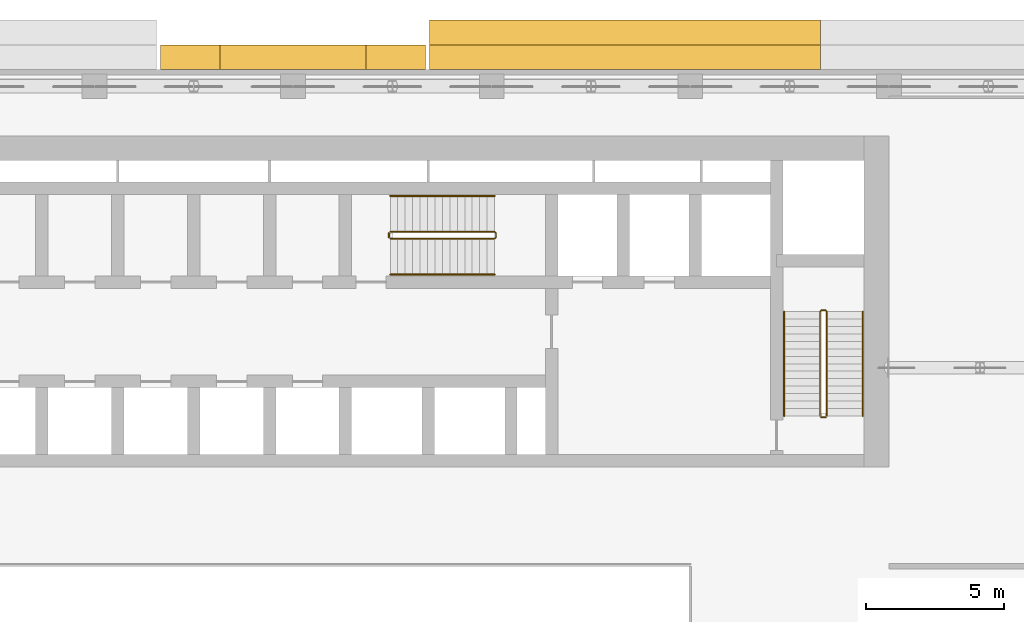
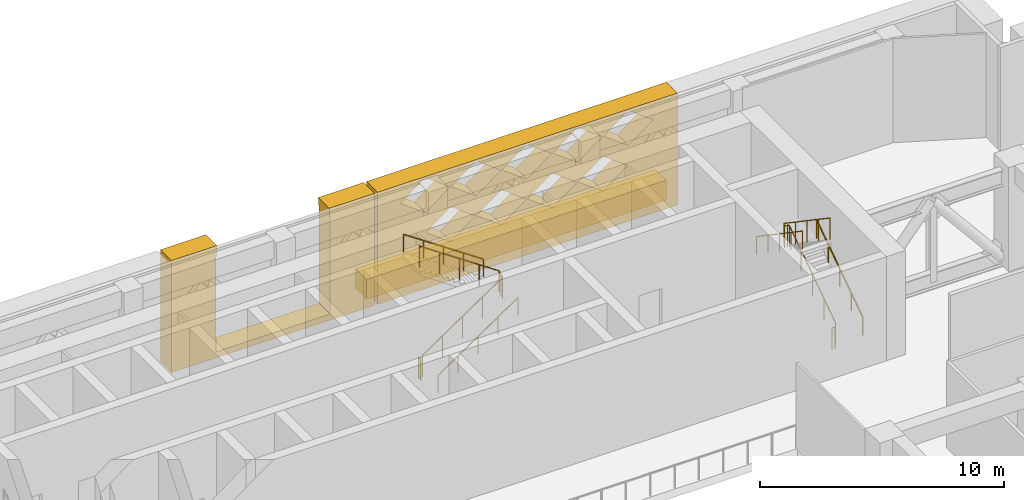
# One storey, part 18 of 19: 8 railings, 3 coverings.
"""IFC4 building model written with IfcOpenShell, lengths in metres."""

import ifcopenshell
import ifcopenshell.guid

model = None  # the IFC model being written
_history = None  # IfcOwnerHistory: only IFC2X3 demands one
_inside = {}  # id of a spatial element -> (the spatial element, [elements in it])
_under = {}  # id of a project, library or spatial element -> (it, [spatial elements below it])
_declared = {}  # id of a project -> (the project, [libraries it declares])
_typed = {}  # id of a type object -> (the type object, [elements of that type])
_made_of = {}  # id of a material, layer set ... -> (it, [elements and type objects made of it])


def new_model(schema):
    """Start an empty IFC model of exactly this schema.

    Asked for "IFC4X3", IfcOpenShell would pick the latest addendum, in which some entities
    have other attributes; the version numbers below select the first issue.
    IFC2X3 requires an IfcOwnerHistory on every rooted entity: one is made here for all.
    """
    global model, _history
    if schema == "IFC4X3":
        model = ifcopenshell.file(schema_version=(4, 3, 0, 0))
    else:
        model = ifcopenshell.file(schema=schema)
    _inside.clear()
    _under.clear()
    _declared.clear()
    _typed.clear()
    _made_of.clear()
    _history = None
    if model.schema == "IFC2X3":
        org = make("IfcOrganization", Name="unknown")
        user = make(
            "IfcPersonAndOrganization",
            ThePerson=make("IfcPerson", FamilyName="unknown"),
            TheOrganization=org,
        )
        app = make(
            "IfcApplication",
            ApplicationDeveloper=org,
            Version="unknown",
            ApplicationFullName="unknown",
            ApplicationIdentifier="unknown",
        )
        _history = make(
            "IfcOwnerHistory",
            OwningUser=user,
            OwningApplication=app,
            ChangeAction="ADDED",
            CreationDate=0,
        )
    return model


def make(cls, **values):
    """One entity of the class cls with the attributes given. An attribute that is None is left unset."""
    return model.create_entity(
        cls, **{name: value for name, value in values.items() if value is not None}
    )


def rooted(cls, **values):
    """An entity with a GlobalId (a new one), such as an element, a storey or a relation."""
    return make(cls, GlobalId=ifcopenshell.guid.new(), OwnerHistory=_history, **values)


def si_unit(unit_type, name, prefix=None):
    """IfcSIUnit, for example si_unit("LENGTHUNIT", "METRE", prefix="MILLI")."""
    return make("IfcSIUnit", UnitType=unit_type, Prefix=prefix, Name=name)


def assignment(units):
    """IfcUnitAssignment: the units of a project."""
    return None if units is None else make("IfcUnitAssignment", Units=units)


def point(xyz):
    """IfcCartesianPoint."""
    return None if xyz is None else make("IfcCartesianPoint", Coordinates=xyz)


def direction(xyz):
    """IfcDirection."""
    return None if xyz is None else make("IfcDirection", DirectionRatios=xyz)


def frame(location, z_axis=None, x_axis=None):
    """IfcAxis2Placement3D, a coordinate frame: its origin and axes. An axis left out is left unset."""
    return make(
        "IfcAxis2Placement3D",
        Location=point(location),
        Axis=direction(z_axis),
        RefDirection=direction(x_axis),
    )


def frame_2d(location, x_axis=None):
    """IfcAxis2Placement2D, a coordinate frame in the plane: its origin and x axis."""
    return make(
        "IfcAxis2Placement2D", Location=point(location), RefDirection=direction(x_axis)
    )


def origin():
    """The frame at (0, 0, 0) with its axes left unset."""
    return frame((0.0, 0.0, 0.0))


def origin_2d():
    """The frame at (0, 0) in the plane with its x axis left unset."""
    return frame_2d((0.0, 0.0))


def place(relative_to, where):
    """IfcLocalPlacement: puts the frame where relative to a parent placement (None: the world)."""
    return make(
        "IfcLocalPlacement", PlacementRelTo=relative_to, RelativePlacement=where
    )


def context(
    kind, dimensions, precision=None, world=None, true_north=None, identifier=None
):
    """IfcGeometricRepresentationContext, for example the 3D "Model" context."""
    return make(
        "IfcGeometricRepresentationContext",
        ContextIdentifier=identifier,
        ContextType=kind,
        CoordinateSpaceDimension=dimensions,
        Precision=precision,
        WorldCoordinateSystem=world,
        TrueNorth=true_north,
    )


def subcontext(parent, identifier, kind, view, scale=None):
    """IfcGeometricRepresentationSubContext, for example "Body" below "Model"."""
    return make(
        "IfcGeometricRepresentationSubContext",
        ContextIdentifier=identifier,
        ContextType=kind,
        ParentContext=parent,
        TargetScale=scale,
        TargetView=view,
    )


def project(units=None, contexts=None):
    """IfcProject with its units and contexts."""
    return rooted(
        "IfcProject",
        Name="project",
        RepresentationContexts=contexts,
        UnitsInContext=assignment(units),
    )


def spatial(cls, under=None, at=None, **own):
    """A site, building, storey or space (cls), placed at a placement, below another one or the project."""
    s = rooted(cls, ObjectPlacement=at, **own)
    if under is not None:
        _under.setdefault(under.id(), (under, []))[1].append(s)
    return s


def polyline(points):
    """IfcPolyline through the points."""
    return make("IfcPolyline", Points=[point(p) for p in points])


def profile(cls, at=None, kind="AREA", **sizes):
    """A parametric profile (cls). Its sizes go by their IFC names, for example OverallWidth=200.0."""
    return make(cls, ProfileType=kind, Position=at, **sizes)


def circle(**sizes):
    """IfcCircleProfileDef."""
    return profile("IfcCircleProfileDef", **sizes)


def outline(outer, holes=None, kind="AREA"):
    """IfcArbitraryClosedProfileDef: a profile drawn as a closed curve; with holes, ...WithVoids."""
    if holes is None:
        return make("IfcArbitraryClosedProfileDef", ProfileType=kind, OuterCurve=outer)
    return make(
        "IfcArbitraryProfileDefWithVoids",
        ProfileType=kind,
        OuterCurve=outer,
        InnerCurves=holes,
    )


def extrude(swept, where, along, depth):
    """IfcExtrudedAreaSolid: the profile swept, set in the frame where, extruded along a direction by depth."""
    return make(
        "IfcExtrudedAreaSolid",
        SweptArea=swept,
        Position=where,
        ExtrudedDirection=direction(along),
        Depth=depth,
    )


def shape(context_of_items, identifier, shape_type, items):
    """IfcShapeRepresentation: the items that make up one representation, for example the "Body"."""
    return make(
        "IfcShapeRepresentation",
        ContextOfItems=context_of_items,
        RepresentationIdentifier=identifier,
        RepresentationType=shape_type,
        Items=items,
    )


def material(Name=None, Category=None):
    """IfcMaterial."""
    return make("IfcMaterial", Name=Name, Category=Category)


def layer(
    of_material, thickness, ventilated=None, Name=None, Category=None, Priority=None
):
    """IfcMaterialLayer: one layer of a wall or slab, of a material (None: an air gap)."""
    return make(
        "IfcMaterialLayer",
        Material=of_material,
        LayerThickness=thickness,
        IsVentilated=ventilated,
        Name=Name,
        Category=Category,
        Priority=Priority,
    )


def layer_set(layers, Name=None):
    """IfcMaterialLayerSet."""
    return make("IfcMaterialLayerSet", MaterialLayers=layers, LayerSetName=Name)


def made_of(thing, what):
    """Note that an element or type object is made of a material, layer set ...; save() writes the relation."""
    if what is not None:
        _made_of.setdefault(what.id(), (what, []))[1].append(thing)
    return thing


def type_object(cls, material=None, **own):
    """A type object (cls), such as IfcWallType, which elements share."""
    return made_of(rooted(cls, **own), material)


def element(
    cls,
    number,
    at=None,
    inside=None,
    cuts=None,
    type_object=None,
    material=None,
    context=None,
    identifier="Body",
    shape_type=None,
    held_by="IfcProductDefinitionShape",
    body=None,
    shapes=None,
    **own,
):
    """One element of the class cls, such as IfcWall. Its Tag is "e" and its number.

    at: its placement. inside: the storey or other place that contains it. cuts: it is an
    opening in that element (IfcRelVoidsElement). A single representation is given by context,
    identifier, shape_type and body (its items); several are given by shapes. held_by: the class
    of the entity that holds the representations. save() writes the other relations.
    """
    e = rooted(cls, Tag="e%d" % number, ObjectPlacement=at, **own)
    if body is not None:
        shapes = [shape(context, identifier, shape_type, body)]
    if shapes is not None:
        e.Representation = make(held_by, Representations=shapes)
    if inside is not None:
        _inside.setdefault(inside.id(), (inside, []))[1].append(e)
    if cuts is not None:
        rooted(
            "IfcRelVoidsElement", RelatingBuildingElement=cuts, RelatedOpeningElement=e
        )
    if type_object is not None:
        _typed.setdefault(type_object.id(), (type_object, []))[1].append(e)
    return made_of(e, material)


def aggregate(whole, parts):
    """IfcRelAggregates: a whole, such as a stair, and the parts it consists of."""
    return rooted("IfcRelAggregates", RelatingObject=whole, RelatedObjects=parts)


def save(model, path):
    """Write the relations noted so far, then the file.

    IfcRelAggregates (storeys below a building ...), IfcRelContainedInSpatialStructure (elements
    in a storey), IfcRelDefinesByType, IfcRelAssociatesMaterial and IfcRelDeclares: one each for
    every whole, place, type object, material and project.
    """
    for whole, parts in _under.values():
        aggregate(whole, parts)
    for where, things in _inside.values():
        rooted(
            "IfcRelContainedInSpatialStructure",
            RelatedElements=things,
            RelatingStructure=where,
        )
    for kind, things in _typed.values():
        rooted("IfcRelDefinesByType", RelatedObjects=things, RelatingType=kind)
    for what, things in _made_of.values():
        rooted("IfcRelAssociatesMaterial", RelatedObjects=things, RelatingMaterial=what)
    for by, libraries in _declared.values():
        rooted("IfcRelDeclares", RelatingContext=by, RelatedDefinitions=libraries)
    model.write(path)


model = new_model("IFC4")

# Units and contexts
model_context = context("Model", 3, precision=1e-05, world=origin(), true_north=direction((0.0, 1.0)))
body_context = subcontext(model_context, "Body", "Model", "MODEL_VIEW")
ifc_project = project(units=[si_unit("LENGTHUNIT", "METRE"), si_unit("AREAUNIT", "SQUARE_METRE"), si_unit("VOLUMEUNIT", "CUBIC_METRE"), si_unit("PLANEANGLEUNIT", "RADIAN"), si_unit("MASSUNIT", "GRAM", prefix="KILO")], contexts=[model_context])

# Site, building, storey
site_placement = place(None, origin())
site = spatial("IfcSite", under=ifc_project, at=site_placement, CompositionType="ELEMENT")
building_placement = place(site_placement, origin())
building = spatial("IfcBuilding", under=site, at=building_placement, Name="Saffron Iwan Residences", CompositionType="ELEMENT")
storey_placement = place(building_placement, frame((0.0, 0.0, 107.5)))
storey = spatial("IfcBuildingStorey", under=building, at=storey_placement, Name="L28", CompositionType="ELEMENT", Elevation=107.5)

# Coverings
ifc_material_1 = material(Name="Precast concrete C40/50 white painted", Category="concrete")
covering_type_1 = type_object("IfcCoveringType", Name="IWAN PANEL PRECAST WHITE", PredefinedType="CLADDING", material=ifc_material_1)
covering_1_placement = place(storey_placement, frame((55.199951171875, 80.39990234375, -0.39990234375), z_axis=(0.0, 1.0, 0.0), x_axis=(-1.0, 0.0, 0.0)))
element("IfcCovering", 1, at=covering_1_placement, inside=storey, type_object=covering_type_1, Name="Iwan panel L28 F5.0", PredefinedType="CLADDING", context=body_context, shape_type="SweptSolid", body=[
    extrude(outline(polyline([(9.60009765625, 5.60009765625), (9.60009765625, 0.0), (0.0, 0.0), (0.0, 5.60009765625), (2.149169921875, 5.60009765625), (2.12841796875, 5.42529296875), (2.10009765625, 4.7041015625), (2.10009765625, 0.300048828125), (7.5, 0.300048828125), (7.5, 4.7041015625), (7.4716796875, 5.42529296875), (7.45068359375, 5.60009765625), (9.60009765625, 5.60009765625)])), origin(), (0.0, 0.0, 1.0), 0.900146484375),
])
ifc_material_2 = material(Name="Precast concrete C40/50", Category="concrete")
covering_type_2 = type_object("IfcCoveringType", Name="OUTER SKIN LATTICE SCREEN", PredefinedType="CLADDING", material=ifc_material_2)
covering_2_placement = place(storey_placement, frame((69.52490234375, 80.39990234375, -0.39990234375), z_axis=(0.0, 1.0, 0.0), x_axis=(-1.0, 0.0, 0.0)))
element("IfcCovering", 2, at=covering_2_placement, inside=storey, type_object=covering_type_2, Name="OUTER SKIN lattice screen L28 F5.1", PredefinedType="CLADDING", context=body_context, shape_type="SweptSolid", body=[
    extrude(outline(polyline([(0.0, 0.0), (14.175048828125, 0.0), (14.175048828125, 5.60009765625), (0.0, 5.60009765625), (0.0, 0.0)]), holes=[polyline([(2.344970703125, 2.800048828125), (3.52490234375, 1.9267578125), (4.705078125, 2.800048828125), (3.52490234375, 3.67333984375), (2.344970703125, 2.800048828125)]), polyline([(4.7451171875, 2.800048828125), (5.925048828125, 1.9267578125), (7.10498046875, 2.800048828125), (5.925048828125, 3.67333984375), (4.7451171875, 2.800048828125)]), polyline([(7.14501953125, 2.800048828125), (8.324951171875, 1.9267578125), (9.5048828125, 2.800048828125), (8.324951171875, 3.67333984375), (7.14501953125, 2.800048828125)]), polyline([(9.544921875, 2.800048828125), (10.72509765625, 1.9267578125), (11.905029296875, 2.800048828125), (10.72509765625, 3.67333984375), (9.544921875, 2.800048828125)]), polyline([(1.14501953125, 4.666748046875), (2.324951171875, 3.793212890625), (3.5048828125, 4.666748046875), (2.324951171875, 5.5400390625), (1.14501953125, 4.666748046875)]), polyline([(3.544921875, 4.666748046875), (4.72509765625, 3.793212890625), (5.905029296875, 4.666748046875), (4.72509765625, 5.5400390625), (3.544921875, 4.666748046875)]), polyline([(5.945068359375, 4.666748046875), (7.125, 3.793212890625), (8.304931640625, 4.666748046875), (7.125, 5.5400390625), (5.945068359375, 4.666748046875)]), polyline([(8.344970703125, 4.666748046875), (9.52490234375, 3.793212890625), (10.705078125, 4.666748046875), (9.52490234375, 5.5400390625), (8.344970703125, 4.666748046875)]), polyline([(10.7451171875, 4.666748046875), (11.925048828125, 3.793212890625), (13.10498046875, 4.666748046875), (11.925048828125, 5.5400390625), (10.7451171875, 4.666748046875)])]), origin(), (0.0, 0.0, 1.0), 0.900146484375),
])

# Railings
ifc_material_3 = material(Name="Steel S355", Category="steel")
railing_type_1 = type_object("IfcRailingType", Name="Stair guard 1100", PredefinedType="GUARDRAIL", material=ifc_material_3)
railing_1_placement = place(storey_placement, frame((53.925048828125, 74.27490234375, 0.183349609375)))
element("IfcRailing", 3, at=railing_1_placement, inside=storey, type_object=railing_type_1, Name="L28 ST-C stair guard 1", PredefinedType="GUARDRAIL", context=body_context, shape_type="SweptSolid", body=[
    extrude(circle(Radius=0.02392578125, at=origin_2d()), frame((0.0, 0.0, 1.076171875), z_axis=(0.827309931321, 0.0, 0.561745741005), x_axis=(0.0, 1.0, 0.0)), (0.0, 0.0, 1.0), 4.569091796875),
    extrude(circle(Radius=0.02392578125, at=origin_2d()), frame((3.780029296875, 0.0, 3.642578125), z_axis=(0.705375805398, 0.708833529934, 0.0), x_axis=(-0.708833529934, 0.705375805398, 0.0)), (0.0, 0.0, 1.0), 0.070556640625),
    extrude(circle(Radius=0.02392578125, at=origin_2d()), frame((3.829833984375, 0.050048828125, 3.642578125), z_axis=(0.0, 1.0, 0.0), x_axis=(-1.0, 0.0, 0.0)), (0.0, 0.0, 1.0), 0.150146484375),
    extrude(circle(Radius=0.02392578125, at=origin_2d()), frame((3.829833984375, 0.2001953125, 3.642578125), z_axis=(-0.253571150612, 0.253571150612, 0.933489873086), x_axis=(-0.707106781187, -0.707106781187, 0.0)), (0.0, 0.0, 1.0), 0.196533203125),
    extrude(circle(Radius=0.02392578125, at=origin_2d()), frame((3.780029296875, 0.25, 3.826171875), z_axis=(-0.827309931321, 0.0, 0.561745741005), x_axis=(0.0, -1.0, 0.0)), (0.0, 0.0, 1.0), 4.569091796875),
    extrude(circle(Radius=0.02099609375, at=origin_2d()), origin(), (0.0, 0.0, 1.0), 1.052001953125),
    extrude(circle(Radius=0.02099609375, at=origin_2d()), frame((0.945068359375, 0.0, 0.6416015625)), (0.0, 0.0, 1.0), 1.052001953125),
    extrude(circle(Radius=0.02099609375, at=origin_2d()), frame((1.89013671875, 0.0, 1.283203125)), (0.0, 0.0, 1.0), 1.052001953125),
    extrude(circle(Radius=0.02099609375, at=origin_2d()), frame((2.8349609375, 0.0, 1.925048828125)), (0.0, 0.0, 1.0), 1.052001953125),
    extrude(circle(Radius=0.02099609375, at=origin_2d()), frame((3.780029296875, 0.0, 2.566650390625)), (0.0, 0.0, 1.0), 1.052001953125),
    extrude(circle(Radius=0.02099609375, at=origin_2d()), frame((3.829833984375, 0.050048828125, 2.566650390625)), (0.0, 0.0, 1.0), 1.052001953125),
    extrude(circle(Radius=0.02099609375, at=origin_2d()), frame((3.829833984375, 0.2001953125, 2.566650390625)), (0.0, 0.0, 1.0), 1.052001953125),
    extrude(circle(Radius=0.02099609375, at=origin_2d()), frame((3.780029296875, 0.25, 2.75)), (0.0, 0.0, 1.0), 1.052001953125),
    extrude(circle(Radius=0.02099609375, at=origin_2d()), frame((2.8349609375, 0.25, 3.3916015625)), (0.0, 0.0, 1.0), 1.052001953125),
    extrude(circle(Radius=0.02099609375, at=origin_2d()), frame((1.89013671875, 0.25, 4.033203125)), (0.0, 0.0, 1.0), 1.052001953125),
    extrude(circle(Radius=0.02099609375, at=origin_2d()), frame((0.945068359375, 0.25, 4.675048828125)), (0.0, 0.0, 1.0), 1.052001953125),
    extrude(circle(Radius=0.02099609375, at=origin_2d()), frame((0.0, 0.25, 5.316650390625)), (0.0, 0.0, 1.0), 1.052001953125),
])
railing_2_placement = place(storey_placement, frame((53.875, 74.324951171875, 0.0)))
element("IfcRailing", 4, at=railing_2_placement, inside=storey, type_object=railing_type_1, Name="L28 ST-C stair guard 2", PredefinedType="GUARDRAIL", context=body_context, shape_type="SweptSolid", body=[
    extrude(circle(Radius=0.02392578125, at=origin_2d()), frame((0.0, 0.0, 1.076171875), z_axis=(0.0, 1.0, 0.0), x_axis=(-1.0, 0.0, 0.0)), (0.0, 0.0, 1.0), 0.150146484375),
    extrude(circle(Radius=0.02099609375, at=origin_2d()), origin(), (0.0, 0.0, 1.0), 1.052001953125),
    extrude(circle(Radius=0.02099609375, at=origin_2d()), frame((0.0, 0.150146484375, 0.0)), (0.0, 0.0, 1.0), 1.052001953125),
])
railing_3_placement = place(storey_placement, frame((69.75, 67.85009765625, 0.183349609375)))
element("IfcRailing", 5, at=railing_3_placement, inside=storey, type_object=railing_type_1, Name="L28 ST-E stair guard 1", PredefinedType="GUARDRAIL", context=body_context, shape_type="SweptSolid", body=[
    extrude(circle(Radius=0.02392578125, at=origin_2d()), frame((0.0, 0.0, 1.076171875), z_axis=(0.0, 0.827293068839, 0.56177057439), x_axis=(-1.0, 0.0, 0.0)), (0.0, 0.0, 1.0), 4.56884765625),
    extrude(circle(Radius=0.02392578125, at=origin_2d()), frame((0.0, 3.77978515625, 3.642578125), z_axis=(-0.707106781187, 0.707106781187, 0.0), x_axis=(-0.707106781187, -0.707106781187, 0.0)), (0.0, 0.0, 1.0), 0.07080078125),
    extrude(circle(Radius=0.02392578125, at=origin_2d()), frame((-0.050048828125, 3.829833984375, 3.642578125), z_axis=(-1.0, 0.0, 0.0), x_axis=(0.0, -1.0, 0.0)), (0.0, 0.0, 1.0), 0.14990234375),
    extrude(circle(Radius=0.02392578125, at=origin_2d()), frame((-0.199951171875, 3.829833984375, 3.642578125), z_axis=(-0.254653276557, -0.254653276557, 0.932900539971), x_axis=(0.707106781187, -0.707106781187, 0.0)), (0.0, 0.0, 1.0), 0.196533203125),
    extrude(circle(Radius=0.02392578125, at=origin_2d()), frame((-0.25, 3.77978515625, 3.826171875), z_axis=(0.0, -0.827293068839, 0.56177057439), x_axis=(1.0, 0.0, 0.0)), (0.0, 0.0, 1.0), 4.56884765625),
    extrude(circle(Radius=0.02099609375, at=origin_2d()), origin(), (0.0, 0.0, 1.0), 1.052001953125),
    extrude(circle(Radius=0.02099609375, at=origin_2d()), frame((0.0, 0.94482421875, 0.6416015625)), (0.0, 0.0, 1.0), 1.052001953125),
    extrude(circle(Radius=0.02099609375, at=origin_2d()), frame((0.0, 1.889892578125, 1.283203125)), (0.0, 0.0, 1.0), 1.052001953125),
    extrude(circle(Radius=0.02099609375, at=origin_2d()), frame((0.0, 2.8349609375, 1.925048828125)), (0.0, 0.0, 1.0), 1.052001953125),
    extrude(circle(Radius=0.02099609375, at=origin_2d()), frame((0.0, 3.77978515625, 2.566650390625)), (0.0, 0.0, 1.0), 1.052001953125),
    extrude(circle(Radius=0.02099609375, at=origin_2d()), frame((-0.050048828125, 3.829833984375, 2.566650390625)), (0.0, 0.0, 1.0), 1.052001953125),
    extrude(circle(Radius=0.02099609375, at=origin_2d()), frame((-0.199951171875, 3.829833984375, 2.566650390625)), (0.0, 0.0, 1.0), 1.052001953125),
    extrude(circle(Radius=0.02099609375, at=origin_2d()), frame((-0.25, 3.77978515625, 2.75)), (0.0, 0.0, 1.0), 1.052001953125),
    extrude(circle(Radius=0.02099609375, at=origin_2d()), frame((-0.25, 2.8349609375, 3.3916015625)), (0.0, 0.0, 1.0), 1.052001953125),
    extrude(circle(Radius=0.02099609375, at=origin_2d()), frame((-0.25, 1.889892578125, 4.033203125)), (0.0, 0.0, 1.0), 1.052001953125),
    extrude(circle(Radius=0.02099609375, at=origin_2d()), frame((-0.25, 0.94482421875, 4.675048828125)), (0.0, 0.0, 1.0), 1.052001953125),
    extrude(circle(Radius=0.02099609375, at=origin_2d()), frame((-0.25, 0.0, 5.316650390625)), (0.0, 0.0, 1.0), 1.052001953125),
])
railing_4_placement = place(storey_placement, frame((69.699951171875, 67.800048828125, 0.0)))
element("IfcRailing", 6, at=railing_4_placement, inside=storey, type_object=railing_type_1, Name="L28 ST-E stair guard 2", PredefinedType="GUARDRAIL", context=body_context, shape_type="SweptSolid", body=[
    extrude(circle(Radius=0.02392578125, at=origin_2d()), frame((0.0, 0.0, 1.076171875), z_axis=(-1.0, 0.0, 0.0), x_axis=(0.0, -1.0, 0.0)), (0.0, 0.0, 1.0), 0.14990234375),
    extrude(circle(Radius=0.02099609375, at=origin_2d()), origin(), (0.0, 0.0, 1.0), 1.052001953125),
    extrude(circle(Radius=0.02099609375, at=origin_2d()), frame((-0.14990234375, 0.0, 0.0)), (0.0, 0.0, 1.0), 1.052001953125),
])
ifc_material_4 = material(Name="Stainless steel 316", Category="steel")
railing_type_2 = type_object("IfcRailingType", Name="Stair handrail 900", PredefinedType="HANDRAIL", material=ifc_material_4)
railing_5_placement = place(storey_placement, frame((53.925048828125, 72.97509765625, 0.183349609375)))
element("IfcRailing", 7, at=railing_5_placement, inside=storey, type_object=railing_type_2, Name="L28 ST-C stair handrail 1", PredefinedType="HANDRAIL", context=body_context, shape_type="SweptSolid", body=[
    extrude(circle(Radius=0.02392578125, at=origin_2d()), frame((0.0, 0.0, 0.8759765625), z_axis=(0.827309931321, 0.0, 0.561745741005), x_axis=(0.0, 1.0, 0.0)), (0.0, 0.0, 1.0), 4.569091796875),
    extrude(circle(Radius=0.02099609375, at=origin_2d()), origin(), (0.0, 0.0, 1.0), 0.851806640625),
    extrude(circle(Radius=0.02099609375, at=origin_2d()), frame((0.945068359375, 0.0, 0.6416015625)), (0.0, 0.0, 1.0), 0.851806640625),
    extrude(circle(Radius=0.02099609375, at=origin_2d()), frame((1.89013671875, 0.0, 1.283203125)), (0.0, 0.0, 1.0), 0.851806640625),
    extrude(circle(Radius=0.02099609375, at=origin_2d()), frame((2.8349609375, 0.0, 1.925048828125)), (0.0, 0.0, 1.0), 0.851806640625),
    extrude(circle(Radius=0.02099609375, at=origin_2d()), frame((3.780029296875, 0.0, 2.566650390625)), (0.0, 0.0, 1.0), 0.851806640625),
])
railing_6_placement = place(storey_placement, frame((57.705078125, 75.824951171875, 2.933349609375)))
element("IfcRailing", 8, at=railing_6_placement, inside=storey, type_object=railing_type_2, Name="L28 ST-C stair handrail 2", PredefinedType="HANDRAIL", context=body_context, shape_type="SweptSolid", body=[
    extrude(circle(Radius=0.02392578125, at=origin_2d()), frame((0.0, 0.0, 0.8759765625), z_axis=(-0.827309931321, 0.0, 0.561745741005), x_axis=(0.0, -1.0, 0.0)), (0.0, 0.0, 1.0), 4.569091796875),
    extrude(circle(Radius=0.02099609375, at=origin_2d()), origin(), (0.0, 0.0, 1.0), 0.851806640625),
    extrude(circle(Radius=0.02099609375, at=origin_2d()), frame((-0.945068359375, 0.0, 0.6416015625)), (0.0, 0.0, 1.0), 0.851806640625),
    extrude(circle(Radius=0.02099609375, at=origin_2d()), frame((-1.89013671875, 0.0, 1.283203125)), (0.0, 0.0, 1.0), 0.851806640625),
    extrude(circle(Radius=0.02099609375, at=origin_2d()), frame((-2.8349609375, 0.0, 1.925048828125)), (0.0, 0.0, 1.0), 0.851806640625),
    extrude(circle(Radius=0.02099609375, at=origin_2d()), frame((-3.780029296875, 0.0, 2.566650390625)), (0.0, 0.0, 1.0), 0.851806640625),
])
railing_7_placement = place(storey_placement, frame((71.050048828125, 67.85009765625, 0.183349609375)))
element("IfcRailing", 9, at=railing_7_placement, inside=storey, type_object=railing_type_2, Name="L28 ST-E stair handrail 1", PredefinedType="HANDRAIL", context=body_context, shape_type="SweptSolid", body=[
    extrude(circle(Radius=0.02392578125, at=origin_2d()), frame((0.0, 0.0, 0.8759765625), z_axis=(0.0, 0.827293068839, 0.56177057439), x_axis=(-1.0, 0.0, 0.0)), (0.0, 0.0, 1.0), 4.56884765625),
    extrude(circle(Radius=0.02099609375, at=origin_2d()), origin(), (0.0, 0.0, 1.0), 0.851806640625),
    extrude(circle(Radius=0.02099609375, at=origin_2d()), frame((0.0, 0.94482421875, 0.6416015625)), (0.0, 0.0, 1.0), 0.851806640625),
    extrude(circle(Radius=0.02099609375, at=origin_2d()), frame((0.0, 1.889892578125, 1.283203125)), (0.0, 0.0, 1.0), 0.851806640625),
    extrude(circle(Radius=0.02099609375, at=origin_2d()), frame((0.0, 2.8349609375, 1.925048828125)), (0.0, 0.0, 1.0), 0.851806640625),
    extrude(circle(Radius=0.02099609375, at=origin_2d()), frame((0.0, 3.77978515625, 2.566650390625)), (0.0, 0.0, 1.0), 0.851806640625),
])
railing_8_placement = place(storey_placement, frame((68.199951171875, 71.6298828125, 2.933349609375)))
element("IfcRailing", 10, at=railing_8_placement, inside=storey, type_object=railing_type_2, Name="L28 ST-E stair handrail 2", PredefinedType="HANDRAIL", context=body_context, shape_type="SweptSolid", body=[
    extrude(circle(Radius=0.02392578125, at=origin_2d()), frame((0.0, 0.0, 0.8759765625), z_axis=(0.0, -0.827293068839, 0.56177057439), x_axis=(1.0, 0.0, 0.0)), (0.0, 0.0, 1.0), 4.56884765625),
    extrude(circle(Radius=0.02099609375, at=origin_2d()), origin(), (0.0, 0.0, 1.0), 0.851806640625),
    extrude(circle(Radius=0.02099609375, at=origin_2d()), frame((0.0, -0.94482421875, 0.6416015625)), (0.0, 0.0, 1.0), 0.851806640625),
    extrude(circle(Radius=0.02099609375, at=origin_2d()), frame((0.0, -1.889892578125, 1.283203125)), (0.0, 0.0, 1.0), 0.851806640625),
    extrude(circle(Radius=0.02099609375, at=origin_2d()), frame((0.0, -2.8349609375, 1.925048828125)), (0.0, 0.0, 1.0), 0.851806640625),
    extrude(circle(Radius=0.02099609375, at=origin_2d()), frame((0.0, -3.77978515625, 2.566650390625)), (0.0, 0.0, 1.0), 0.851806640625),
])

# Covering
ifc_layer = layer(ifc_material_1, 0.89990234375)
ifc_layer_set = layer_set([ifc_layer], Name="Precast concrete C40/50 white painted")
covering_type_3 = type_object("IfcCoveringType", Name="WHITE EDGE BAND 900 x 1000", PredefinedType="CLADDING", material=ifc_layer_set)
covering_3_placement = place(storey_placement, frame((0.0, 0.0, -0.699951171875)))
element("IfcCovering", 11, at=covering_3_placement, inside=storey, type_object=covering_type_3, Name="White edge band L28 F5.1", PredefinedType="CLADDING", context=body_context, shape_type="SweptSolid", body=[
    extrude(outline(polyline([(69.52490234375, 82.199951171875), (55.35009765625, 82.199951171875), (55.35009765625, 81.300048828125), (69.52490234375, 81.300048828125), (69.52490234375, 82.199951171875)])), origin(), (0.0, 0.0, 1.0), 1.0),
])

save(model, "model.ifc")
